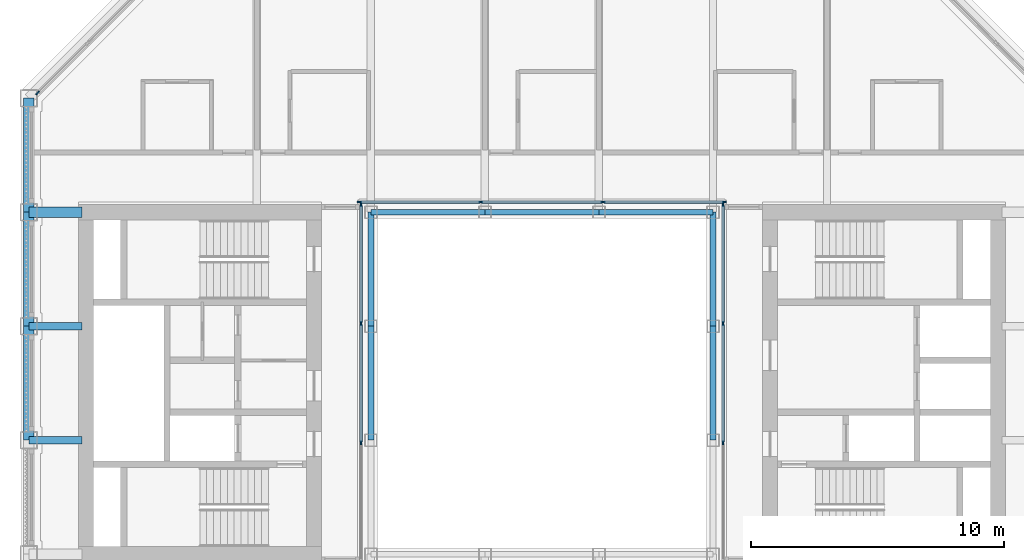
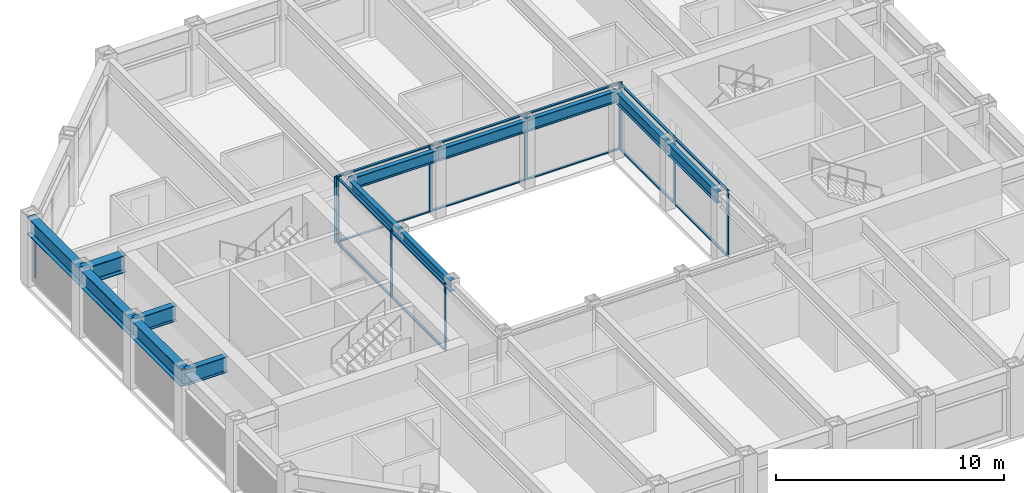
# One storey, part 4 of 16: 25 members, 13 beams, 4 elements without a shape of their own.
"""IFC4 building model written with IfcOpenShell, lengths in metres."""

from ifc_helpers import new_model, si_unit, direction, frame, origin, origin_2d, place, context, subcontext, project, spatial, rectangle, i_section, extrude, material, material_profile, profile_set, type_object, element, aggregate, save


model = new_model("IFC4")

# Units and contexts
model_context = context("Model", 3, precision=1e-05, world=origin(), true_north=direction((0.0, 1.0)))
body_context = subcontext(model_context, "Body", "Model", "MODEL_VIEW")
ifc_project = project(units=[si_unit("LENGTHUNIT", "METRE"), si_unit("AREAUNIT", "SQUARE_METRE"), si_unit("VOLUMEUNIT", "CUBIC_METRE"), si_unit("PLANEANGLEUNIT", "RADIAN"), si_unit("MASSUNIT", "GRAM", prefix="KILO")], contexts=[model_context])

# Site, building, storey
site_placement = place(None, origin())
site = spatial("IfcSite", under=ifc_project, at=site_placement, CompositionType="ELEMENT")
building_placement = place(site_placement, origin())
building = spatial("IfcBuilding", under=site, at=building_placement, Name="Msasa Ring Tower", CompositionType="ELEMENT")
storey_placement = place(building_placement, frame((0.0, 0.0, 212.050048828125)))
storey = spatial("IfcBuildingStorey", under=building, at=storey_placement, Name="L55", CompositionType="ELEMENT", Elevation=212.050048828125)

# Curtain wall, member
ifc_material_1 = material(Name="Aluminium curtain wall with clear glass", Category="aluminium")
curtain_wall_type_1 = type_object("IfcCurtainWallType", Name="CW-C CHAMFER CORNER CURTAIN WALL", PredefinedType="NOTDEFINED", material=ifc_material_1)
curtain_wall_1_placement = place(storey_placement, origin())
curtain_wall_1 = element("IfcCurtainWall", 1, at=curtain_wall_1_placement, inside=storey, type_object=curtain_wall_type_1, Name="Chamfer corner curtain wall NW L55", PredefinedType="NOTDEFINED")
ifc_material_2 = material(Name="Aluminium mullion", Category="aluminium")
ifc_material_profile_1 = material_profile(ifc_material_2, rectangle(XDim=0.06494140625, YDim=0.179931640625, at=origin_2d()), Name="AL 65x180")
ifc_profile_set_1 = profile_set([ifc_material_profile_1], Name="Aluminium mullion")
member_type_1 = type_object("IfcMemberType", Name="CW-C MULLION 65x180", PredefinedType="MULLION", material=ifc_profile_set_1)
member_1_placement = place(storey_placement, frame((-19.9052734375, 11.453369140625, 0.0), z_axis=(0.0, 0.0, 1.0), x_axis=(0.707106781187, -0.707106781187, 0.0)))
member_1 = element("IfcMember", 2, at=member_1_placement, type_object=member_type_1, Name="CW-C mullion 3", PredefinedType="MULLION", context=body_context, shape_type="SweptSolid", body=[
    extrude(rectangle(XDim=0.06494140625, YDim=0.179931640625, at=origin_2d()), origin(), (0.0, 0.0, 1.0), 2.62890625),
])
aggregate(curtain_wall_1, [member_1])

# Curtain wall, members
ifc_material_3 = material(Name="Aluminium curtain wall with clear glass", Category="aluminium")
curtain_wall_type_2 = type_object("IfcCurtainWallType", Name="CW-W LIGHT WELL CURTAIN WALL", PredefinedType="NOTDEFINED", material=ifc_material_3)
curtain_wall_2_placement = place(storey_placement, origin())
curtain_wall_2 = element("IfcCurtainWall", 3, at=curtain_wall_2_placement, inside=storey, type_object=curtain_wall_type_2, Name="Light well curtain wall N L55", PredefinedType="NOTDEFINED")
ifc_material_4 = material(Name="Aluminium mullion", Category="aluminium")
ifc_material_profile_2 = material_profile(ifc_material_4, rectangle(XDim=0.06005859375, YDim=0.159912109375, at=origin_2d()), Name="AL 60x160")
ifc_profile_set_2 = profile_set([ifc_material_profile_2], Name="Aluminium mullion")
member_type_2 = type_object("IfcMemberType", Name="CW-W MULLION 60x160", PredefinedType="MULLION", material=ifc_profile_set_2)
member_2_placement = place(storey_placement, frame((-7.199951171875, 7.14990234375, 0.0), z_axis=(0.0, 0.0, 1.0), x_axis=(0.0, 1.0, 0.0)))
member_2 = element("IfcMember", 4, at=member_2_placement, type_object=member_type_2, Name="CW-W mullion 1", PredefinedType="MULLION", context=body_context, shape_type="SweptSolid", body=[
    extrude(rectangle(XDim=0.06005859375, YDim=0.159912109375, at=origin_2d()), origin(), (0.0, 0.0, 1.0), 3.550048828125),
])
member_3_placement = place(storey_placement, frame((-2.409912109375, 7.14990234375, 0.0), z_axis=(0.0, 0.0, 1.0), x_axis=(0.0, 1.0, 0.0)))
member_3 = element("IfcMember", 5, at=member_3_placement, type_object=member_type_2, Name="CW-W mullion 2", PredefinedType="MULLION", context=body_context, shape_type="SweptSolid", body=[
    extrude(rectangle(XDim=0.06005859375, YDim=0.159912109375, at=origin_2d()), origin(), (0.0, 0.0, 1.0), 3.550048828125),
])
member_4_placement = place(storey_placement, frame((2.409912109375, 7.14990234375, 0.0), z_axis=(0.0, 0.0, 1.0), x_axis=(0.0, 1.0, 0.0)))
member_4 = element("IfcMember", 6, at=member_4_placement, type_object=member_type_2, Name="CW-W mullion 3", PredefinedType="MULLION", context=body_context, shape_type="SweptSolid", body=[
    extrude(rectangle(XDim=0.06005859375, YDim=0.159912109375, at=origin_2d()), origin(), (0.0, 0.0, 1.0), 3.550048828125),
])
member_5_placement = place(storey_placement, frame((7.199951171875, 7.14990234375, 0.0), z_axis=(0.0, 0.0, 1.0), x_axis=(0.0, 1.0, 0.0)))
member_5 = element("IfcMember", 7, at=member_5_placement, type_object=member_type_2, Name="CW-W mullion 4", PredefinedType="MULLION", context=body_context, shape_type="SweptSolid", body=[
    extrude(rectangle(XDim=0.06005859375, YDim=0.159912109375, at=origin_2d()), origin(), (0.0, 0.0, 1.0), 3.550048828125),
])

curtain_wall_3_placement = place(storey_placement, origin())
curtain_wall_3 = element("IfcCurtainWall", 8, at=curtain_wall_3_placement, inside=storey, type_object=curtain_wall_type_2, Name="Light well curtain wall E L55", PredefinedType="NOTDEFINED")
member_6_placement = place(storey_placement, frame((7.14990234375, -2.356689453125, 0.0), z_axis=(0.0, 0.0, 1.0), x_axis=(-1.0, 0.0, 0.0)))
member_6 = element("IfcMember", 9, at=member_6_placement, type_object=member_type_2, Name="CW-W mullion 2", PredefinedType="MULLION", context=body_context, shape_type="SweptSolid", body=[
    extrude(rectangle(XDim=0.06005859375, YDim=0.159912109375, at=origin_2d()), origin(), (0.0, 0.0, 1.0), 3.550048828125),
])
member_7_placement = place(storey_placement, frame((7.14990234375, 2.356689453125, 0.0), z_axis=(0.0, 0.0, 1.0), x_axis=(-1.0, 0.0, 0.0)))
member_7 = element("IfcMember", 10, at=member_7_placement, type_object=member_type_2, Name="CW-W mullion 3", PredefinedType="MULLION", context=body_context, shape_type="SweptSolid", body=[
    extrude(rectangle(XDim=0.06005859375, YDim=0.159912109375, at=origin_2d()), origin(), (0.0, 0.0, 1.0), 3.550048828125),
])
member_8_placement = place(storey_placement, frame((7.14990234375, 7.0400390625, 0.0), z_axis=(0.0, 0.0, 1.0), x_axis=(-1.0, 0.0, 0.0)))
member_8 = element("IfcMember", 11, at=member_8_placement, type_object=member_type_2, Name="CW-W mullion 4", PredefinedType="MULLION", context=body_context, shape_type="SweptSolid", body=[
    extrude(rectangle(XDim=0.06005859375, YDim=0.159912109375, at=origin_2d()), origin(), (0.0, 0.0, 1.0), 3.550048828125),
])

curtain_wall_4_placement = place(storey_placement, origin())
curtain_wall_4 = element("IfcCurtainWall", 12, at=curtain_wall_4_placement, inside=storey, type_object=curtain_wall_type_2, Name="Light well curtain wall W L55", PredefinedType="NOTDEFINED")
member_9_placement = place(storey_placement, frame((-7.14990234375, -2.356689453125, 0.0), z_axis=(0.0, 0.0, 1.0), x_axis=(-1.0, 0.0, 0.0)))
member_9 = element("IfcMember", 13, at=member_9_placement, type_object=member_type_2, Name="CW-W mullion 2", PredefinedType="MULLION", context=body_context, shape_type="SweptSolid", body=[
    extrude(rectangle(XDim=0.06005859375, YDim=0.159912109375, at=origin_2d()), origin(), (0.0, 0.0, 1.0), 3.550048828125),
])
member_10_placement = place(storey_placement, frame((-7.14990234375, 2.356689453125, 0.0), z_axis=(0.0, 0.0, 1.0), x_axis=(-1.0, 0.0, 0.0)))
member_10 = element("IfcMember", 14, at=member_10_placement, type_object=member_type_2, Name="CW-W mullion 3", PredefinedType="MULLION", context=body_context, shape_type="SweptSolid", body=[
    extrude(rectangle(XDim=0.06005859375, YDim=0.159912109375, at=origin_2d()), origin(), (0.0, 0.0, 1.0), 3.550048828125),
])
member_11_placement = place(storey_placement, frame((-7.14990234375, 7.0400390625, 0.0), z_axis=(0.0, 0.0, 1.0), x_axis=(-1.0, 0.0, 0.0)))
member_11 = element("IfcMember", 15, at=member_11_placement, type_object=member_type_2, Name="CW-W mullion 4", PredefinedType="MULLION", context=body_context, shape_type="SweptSolid", body=[
    extrude(rectangle(XDim=0.06005859375, YDim=0.159912109375, at=origin_2d()), origin(), (0.0, 0.0, 1.0), 3.550048828125),
])

# Member
ifc_material_5 = material(Name="Aluminium transom", Category="aluminium")
ifc_material_profile_3 = material_profile(ifc_material_5, rectangle(XDim=0.1201171875, YDim=0.06005859375, at=origin_2d()), Name="AL 60x120")
ifc_profile_set_3 = profile_set([ifc_material_profile_3], Name="Aluminium transom")
member_type_3 = type_object("IfcMemberType", Name="CW-W TRANSOM 60x120", PredefinedType="USERDEFINED", material=ifc_profile_set_3)
member_12_placement = place(storey_placement, frame((-7.169921875, 7.14990234375, 0.030029296875), z_axis=(1.0, 0.0, 0.0), x_axis=(0.0, 1.0, 0.0)))
member_12 = element("IfcMember", 16, at=member_12_placement, type_object=member_type_3, Name="CW-W transom 1.1", ObjectType="TRANSOM", PredefinedType="USERDEFINED", context=body_context, shape_type="SweptSolid", body=[
    extrude(rectangle(XDim=0.1201171875, YDim=0.06005859375, at=origin_2d()), origin(), (0.0, 0.0, 1.0), 4.72998046875),
])

member_13_placement = place(storey_placement, frame((-7.169921875, 7.14990234375, 3.52001953125), z_axis=(1.0, 0.0, 0.0), x_axis=(0.0, 1.0, 0.0)))
member_13 = element("IfcMember", 17, at=member_13_placement, type_object=member_type_3, Name="CW-W transom 1.2", ObjectType="TRANSOM", PredefinedType="USERDEFINED", context=body_context, shape_type="SweptSolid", body=[
    extrude(rectangle(XDim=0.1201171875, YDim=0.06005859375, at=origin_2d()), origin(), (0.0, 0.0, 1.0), 4.72998046875),
])

member_14_placement = place(storey_placement, frame((-2.3798828125, 7.14990234375, 0.030029296875), z_axis=(1.0, 0.0, 0.0), x_axis=(0.0, 1.0, 0.0)))
member_14 = element("IfcMember", 18, at=member_14_placement, type_object=member_type_3, Name="CW-W transom 2.1", ObjectType="TRANSOM", PredefinedType="USERDEFINED", context=body_context, shape_type="SweptSolid", body=[
    extrude(rectangle(XDim=0.1201171875, YDim=0.06005859375, at=origin_2d()), origin(), (0.0, 0.0, 1.0), 4.759765625),
])

member_15_placement = place(storey_placement, frame((-2.3798828125, 7.14990234375, 3.52001953125), z_axis=(1.0, 0.0, 0.0), x_axis=(0.0, 1.0, 0.0)))
member_15 = element("IfcMember", 19, at=member_15_placement, type_object=member_type_3, Name="CW-W transom 2.2", ObjectType="TRANSOM", PredefinedType="USERDEFINED", context=body_context, shape_type="SweptSolid", body=[
    extrude(rectangle(XDim=0.1201171875, YDim=0.06005859375, at=origin_2d()), origin(), (0.0, 0.0, 1.0), 4.759765625),
])

member_16_placement = place(storey_placement, frame((2.43994140625, 7.14990234375, 0.030029296875), z_axis=(1.0, 0.0, 0.0), x_axis=(0.0, 1.0, 0.0)))
member_16 = element("IfcMember", 20, at=member_16_placement, type_object=member_type_3, Name="CW-W transom 3.1", ObjectType="TRANSOM", PredefinedType="USERDEFINED", context=body_context, shape_type="SweptSolid", body=[
    extrude(rectangle(XDim=0.1201171875, YDim=0.06005859375, at=origin_2d()), origin(), (0.0, 0.0, 1.0), 4.72998046875),
])

member_17_placement = place(storey_placement, frame((2.43994140625, 7.14990234375, 3.52001953125), z_axis=(1.0, 0.0, 0.0), x_axis=(0.0, 1.0, 0.0)))
member_17 = element("IfcMember", 21, at=member_17_placement, type_object=member_type_3, Name="CW-W transom 3.2", ObjectType="TRANSOM", PredefinedType="USERDEFINED", context=body_context, shape_type="SweptSolid", body=[
    extrude(rectangle(XDim=0.1201171875, YDim=0.06005859375, at=origin_2d()), origin(), (0.0, 0.0, 1.0), 4.72998046875),
])

aggregate(curtain_wall_2, [member_2, member_3, member_4, member_5, member_12, member_13, member_14, member_15, member_16, member_17])

member_18_placement = place(storey_placement, frame((7.14990234375, -2.32666015625, 0.030029296875), z_axis=(0.0, 1.0, 0.0), x_axis=(-1.0, 0.0, 0.0)))
member_18 = element("IfcMember", 22, at=member_18_placement, type_object=member_type_3, Name="CW-W transom 2.1", ObjectType="TRANSOM", PredefinedType="USERDEFINED", context=body_context, shape_type="SweptSolid", body=[
    extrude(rectangle(XDim=0.1201171875, YDim=0.06005859375, at=origin_2d()), origin(), (0.0, 0.0, 1.0), 4.6533203125),
])

member_19_placement = place(storey_placement, frame((7.14990234375, -2.32666015625, 3.52001953125), z_axis=(0.0, 1.0, 0.0), x_axis=(-1.0, 0.0, 0.0)))
member_19 = element("IfcMember", 23, at=member_19_placement, type_object=member_type_3, Name="CW-W transom 2.2", ObjectType="TRANSOM", PredefinedType="USERDEFINED", context=body_context, shape_type="SweptSolid", body=[
    extrude(rectangle(XDim=0.1201171875, YDim=0.06005859375, at=origin_2d()), origin(), (0.0, 0.0, 1.0), 4.6533203125),
])

member_20_placement = place(storey_placement, frame((7.14990234375, 2.38671875, 0.030029296875), z_axis=(0.0, 1.0, 0.0), x_axis=(-1.0, 0.0, 0.0)))
member_20 = element("IfcMember", 24, at=member_20_placement, type_object=member_type_3, Name="CW-W transom 3.1", ObjectType="TRANSOM", PredefinedType="USERDEFINED", context=body_context, shape_type="SweptSolid", body=[
    extrude(rectangle(XDim=0.1201171875, YDim=0.06005859375, at=origin_2d()), origin(), (0.0, 0.0, 1.0), 4.623291015625),
])

member_21_placement = place(storey_placement, frame((7.14990234375, 2.38671875, 3.52001953125), z_axis=(0.0, 1.0, 0.0), x_axis=(-1.0, 0.0, 0.0)))
member_21 = element("IfcMember", 25, at=member_21_placement, type_object=member_type_3, Name="CW-W transom 3.2", ObjectType="TRANSOM", PredefinedType="USERDEFINED", context=body_context, shape_type="SweptSolid", body=[
    extrude(rectangle(XDim=0.1201171875, YDim=0.06005859375, at=origin_2d()), origin(), (0.0, 0.0, 1.0), 4.623291015625),
])

aggregate(curtain_wall_3, [member_6, member_7, member_8, member_18, member_19, member_20, member_21])

member_22_placement = place(storey_placement, frame((-7.14990234375, -2.32666015625, 0.030029296875), z_axis=(0.0, 1.0, 0.0), x_axis=(-1.0, 0.0, 0.0)))
member_22 = element("IfcMember", 26, at=member_22_placement, type_object=member_type_3, Name="CW-W transom 2.1", ObjectType="TRANSOM", PredefinedType="USERDEFINED", context=body_context, shape_type="SweptSolid", body=[
    extrude(rectangle(XDim=0.1201171875, YDim=0.06005859375, at=origin_2d()), origin(), (0.0, 0.0, 1.0), 4.6533203125),
])

member_23_placement = place(storey_placement, frame((-7.14990234375, -2.32666015625, 3.52001953125), z_axis=(0.0, 1.0, 0.0), x_axis=(-1.0, 0.0, 0.0)))
member_23 = element("IfcMember", 27, at=member_23_placement, type_object=member_type_3, Name="CW-W transom 2.2", ObjectType="TRANSOM", PredefinedType="USERDEFINED", context=body_context, shape_type="SweptSolid", body=[
    extrude(rectangle(XDim=0.1201171875, YDim=0.06005859375, at=origin_2d()), origin(), (0.0, 0.0, 1.0), 4.6533203125),
])

member_24_placement = place(storey_placement, frame((-7.14990234375, 2.38671875, 0.030029296875), z_axis=(0.0, 1.0, 0.0), x_axis=(-1.0, 0.0, 0.0)))
member_24 = element("IfcMember", 28, at=member_24_placement, type_object=member_type_3, Name="CW-W transom 3.1", ObjectType="TRANSOM", PredefinedType="USERDEFINED", context=body_context, shape_type="SweptSolid", body=[
    extrude(rectangle(XDim=0.1201171875, YDim=0.06005859375, at=origin_2d()), origin(), (0.0, 0.0, 1.0), 4.623291015625),
])

member_25_placement = place(storey_placement, frame((-7.14990234375, 2.38671875, 3.52001953125), z_axis=(0.0, 1.0, 0.0), x_axis=(-1.0, 0.0, 0.0)))
member_25 = element("IfcMember", 29, at=member_25_placement, type_object=member_type_3, Name="CW-W transom 3.2", ObjectType="TRANSOM", PredefinedType="USERDEFINED", context=body_context, shape_type="SweptSolid", body=[
    extrude(rectangle(XDim=0.1201171875, YDim=0.06005859375, at=origin_2d()), origin(), (0.0, 0.0, 1.0), 4.623291015625),
])

aggregate(curtain_wall_4, [member_9, member_10, member_11, member_22, member_23, member_24, member_25])

# Beams
ifc_material_6 = material(Name="Steel S355", Category="steel")
ifc_material_profile_4 = material_profile(ifc_material_6, i_section(OverallWidth=0.293701171875, OverallDepth=0.850830078125, WebThickness=0.01611328125, FlangeThickness=0.02685546875, FilletRadius=0.017822265625, at=origin_2d()), Name="UB 838x292x226")
ifc_profile_set_4 = profile_set([ifc_material_profile_4], Name="Steel S355")
beam_type_1 = type_object("IfcBeamType", Name="FB5 UB 838x292x226", PredefinedType="BEAM", material=ifc_profile_set_4)
for number, where, z_axis, x_axis, name in (
    (30, (-20.25, -2.25, 3.12451171875), (1.0, 0.0, 0.0), (0.0, 1.0, 0.0), "Floor beam W -2.25 under L56"),
    (31, (-20.25, 2.25, 3.12451171875), (1.0, 0.0, 0.0), (0.0, 1.0, 0.0), "Floor beam W +2.25 under L56"),
):
    element("IfcBeam", number, at=place(storey_placement, frame(where, z_axis=z_axis, x_axis=x_axis)), inside=storey, type_object=beam_type_1, Name=name, PredefinedType="BEAM", context=body_context, shape_type="SweptSolid", body=[
        extrude(i_section(OverallWidth=0.293701171875, OverallDepth=0.850830078125, WebThickness=0.01611328125, FlangeThickness=0.02685546875, FilletRadius=0.017822265625, at=origin_2d()), origin(), (0.0, 0.0, 1.0), 2.10009765625),
    ])
ifc_material_7 = material(Name="Steel S355", Category="steel")
ifc_material_profile_5 = material_profile(ifc_material_7, i_section(OverallWidth=0.42041015625, OverallDepth=0.9208984375, WebThickness=0.021484375, FlangeThickness=0.03662109375, FilletRadius=0.024169921875, at=origin_2d()), Name="UB 914x419x388")
ifc_profile_set_5 = profile_set([ifc_material_profile_5], Name="Steel S355")
beam_type_2 = type_object("IfcBeamType", Name="GB1 UB 914x419x388", PredefinedType="BEAM", material=ifc_profile_set_5)
beam_placement = place(storey_placement, frame((-18.14990234375, 6.75, 3.08935546875), z_axis=(-1.0, 0.0, 0.0), x_axis=(0.0, -1.0, 0.0)))
element("IfcBeam", 32, at=beam_placement, inside=storey, type_object=beam_type_2, Name="Girder W +6.75 under L56", PredefinedType="BEAM", context=body_context, shape_type="SweptSolid", body=[
    extrude(i_section(OverallWidth=0.42041015625, OverallDepth=0.9208984375, WebThickness=0.021484375, FlangeThickness=0.03662109375, FilletRadius=0.024169921875, at=origin_2d()), origin(), (0.0, 0.0, 1.0), 2.10009765625),
])
ifc_material_8 = material(Name="Steel S355", Category="steel")
ifc_material_profile_6 = material_profile(ifc_material_8, i_section(OverallWidth=0.230224609375, OverallDepth=0.6171875, WebThickness=0.01318359375, FlangeThickness=0.022216796875, FilletRadius=0.0126953125, at=origin_2d()), Name="UB 610x229x140")
ifc_profile_set_6 = profile_set([ifc_material_profile_6], Name="Steel S355")
beam_type_3 = type_object("IfcBeamType", Name="RB1 UB 610x229x140", PredefinedType="BEAM", material=ifc_profile_set_6)
for number, where, z_axis, x_axis, name in (
    (33, (6.75, -2.25, 3.241455078125), (0.0, 1.0, 0.0), (-1.0, 0.0, 0.0), "Inner ring beam IR+6.75-2.25 under L56"),
    (34, (6.75, 2.25, 3.241455078125), (0.0, 1.0, 0.0), (-1.0, 0.0, 0.0), "Inner ring beam IR+6.75+2.25 under L56"),
    (35, (6.75, 6.75, 3.241455078125), (-1.0, 0.0, 0.0), (0.0, -1.0, 0.0), "Inner ring beam IR+6.75+6.75 under L56"),
    (36, (2.25, 6.75, 3.241455078125), (-1.0, 0.0, 0.0), (0.0, -1.0, 0.0), "Inner ring beam IR+2.25+6.75 under L56"),
    (37, (-2.25, 6.75, 3.241455078125), (-1.0, 0.0, 0.0), (0.0, -1.0, 0.0), "Inner ring beam IR-2.25+6.75 under L56"),
    (38, (-6.75, 6.75, 3.241455078125), (0.0, -1.0, 0.0), (1.0, 0.0, 0.0), "Inner ring beam IR-6.75+6.75 under L56"),
    (39, (-6.75, 2.25, 3.241455078125), (0.0, -1.0, 0.0), (1.0, 0.0, 0.0), "Inner ring beam IR-6.75+2.25 under L56"),
):
    element("IfcBeam", number, at=place(storey_placement, frame(where, z_axis=z_axis, x_axis=x_axis)), inside=storey, type_object=beam_type_3, Name=name, PredefinedType="BEAM", context=body_context, shape_type="SweptSolid", body=[
        extrude(i_section(OverallWidth=0.230224609375, OverallDepth=0.6171875, WebThickness=0.01318359375, FlangeThickness=0.022216796875, FilletRadius=0.0126953125, at=origin_2d()), origin(), (0.0, 0.0, 1.0), 4.5),
    ])
ifc_material_9 = material(Name="Steel S355", Category="steel")
ifc_material_profile_7 = material_profile(ifc_material_9, i_section(OverallWidth=0.42041015625, OverallDepth=0.9208984375, WebThickness=0.021484375, FlangeThickness=0.03662109375, FilletRadius=0.024169921875, at=origin_2d()), Name="UB 914x419x388")
ifc_profile_set_7 = profile_set([ifc_material_profile_7], Name="Steel S355")
beam_type_4 = type_object("IfcBeamType", Name="SB1 UB 914x419x388", PredefinedType="SPANDREL", material=ifc_profile_set_7)
for number, where, z_axis, x_axis, name in (
    (40, (-20.25, 11.25, 3.08935546875), (0.0, -1.0, 0.0), (1.0, 0.0, 0.0), "Spandrel W+11.25 to W+6.75 under L56"),
    (41, (-20.25, 6.75, 3.08935546875), (0.0, -1.0, 0.0), (1.0, 0.0, 0.0), "Spandrel W+6.75 to W+2.25 under L56"),
    (42, (-20.25, 2.25, 3.08935546875), (0.0, -1.0, 0.0), (1.0, 0.0, 0.0), "Spandrel W+2.25 to W-2.25 under L56"),
):
    element("IfcBeam", number, at=place(storey_placement, frame(where, z_axis=z_axis, x_axis=x_axis)), inside=storey, type_object=beam_type_4, Name=name, PredefinedType="SPANDREL", context=body_context, shape_type="SweptSolid", body=[
        extrude(i_section(OverallWidth=0.42041015625, OverallDepth=0.9208984375, WebThickness=0.021484375, FlangeThickness=0.03662109375, FilletRadius=0.024169921875, at=origin_2d()), origin(), (0.0, 0.0, 1.0), 4.5),
    ])

save(model, "model.ifc")
